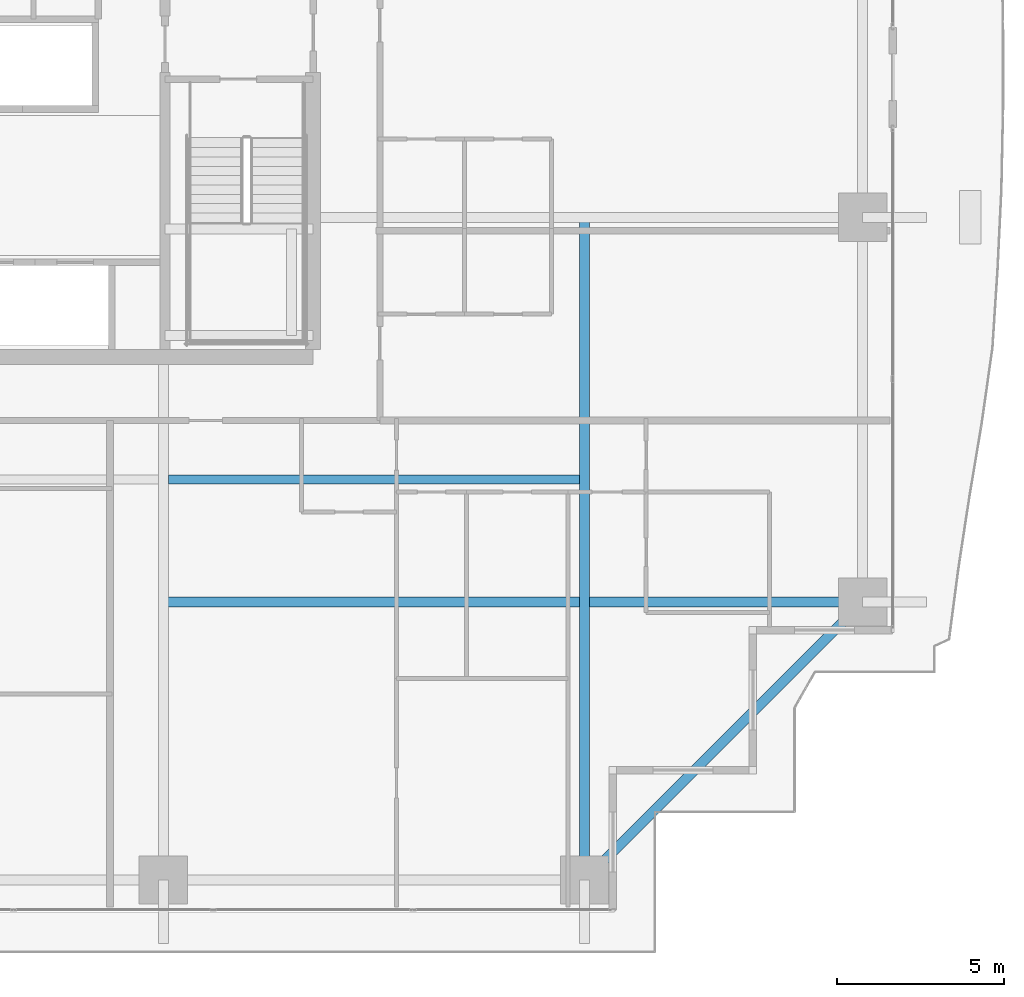
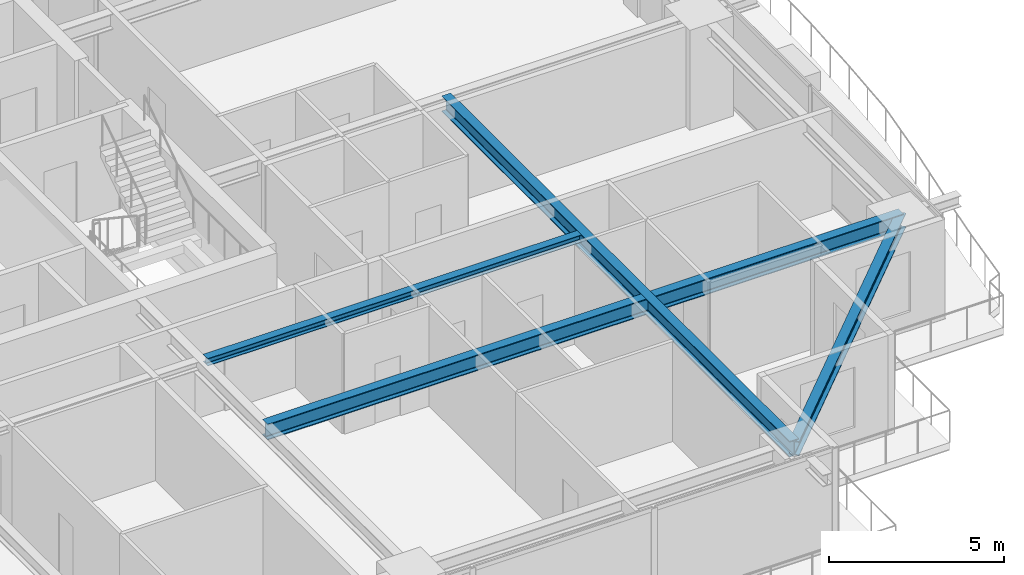
# One storey, part 11 of 38: 4 beams.
"""IFC4 building model written with IfcOpenShell, lengths in metres."""

from ifc_helpers import new_model, si_unit, direction, frame, origin, origin_2d, place, context, subcontext, project, spatial, i_section, extrude, source, transform, mapped, material, material_profile, profile_set, type_object, element, save


model = new_model("IFC4")

# Units and contexts
model_context = context("Model", 3, precision=1e-05, world=origin(), true_north=direction((0.0, 1.0)))
body_context = subcontext(model_context, "Body", "Model", "MODEL_VIEW")
ifc_project = project(units=[si_unit("LENGTHUNIT", "METRE"), si_unit("AREAUNIT", "SQUARE_METRE"), si_unit("VOLUMEUNIT", "CUBIC_METRE"), si_unit("PLANEANGLEUNIT", "RADIAN"), si_unit("MASSUNIT", "GRAM", prefix="KILO")], contexts=[model_context])

# Site, building, storey
site_placement = place(None, origin())
site = spatial("IfcSite", under=ifc_project, at=site_placement, CompositionType="ELEMENT")
building_placement = place(site_placement, origin())
building = spatial("IfcBuilding", under=site, at=building_placement, Name="Serunith Strait Residences", CompositionType="ELEMENT")
storey_placement = place(building_placement, frame((0.0, 0.0, 82.949951171875)))
storey = spatial("IfcBuildingStorey", under=building, at=storey_placement, Name="L20", CompositionType="ELEMENT", Elevation=82.949951171875)

# Beams
ifc_material = material(Name="Steel S355J2", Category="steel")
ifc_material_profile_1 = material_profile(ifc_material, i_section(OverallWidth=0.300048828125, OverallDepth=0.550048828125, WebThickness=0.014892578125, FlangeThickness=0.029052734375, FilletRadius=0.027099609375, at=origin_2d()), Name="HEB 550")
ifc_profile_set_1 = profile_set([ifc_material_profile_1], Name="Steel S355J2")
beam_type_1 = type_object("IfcBeamType", Name="BM-HEB550", PredefinedType="BEAM", material=ifc_profile_set_1)
shared_shape_1 = source(origin(), body_context, "Body", "SweptSolid", [
    extrude(i_section(OverallWidth=0.300048828125, OverallDepth=0.550048828125, WebThickness=0.014892578125, FlangeThickness=0.029052734375, FilletRadius=0.027099609375, at=origin_2d()), origin(), (0.0, 0.0, 1.0), 19.89990234375),
])
beam_1_placement = place(storey_placement, frame((49.550048828125, 21.0, 3.212158203125), z_axis=(0.0, -1.0, 0.0), x_axis=(1.0, 0.0, 0.0)))
element("IfcBeam", 1, at=beam_1_placement, inside=storey, type_object=beam_type_1, Name="L20 Orthogonal Corner Girder TC-S4", PredefinedType="BEAM", context=body_context, shape_type="MappedRepresentation", body=[
    mapped(shared_shape_1, transform((0.0, 0.0, 0.0), scale=1.0)),
])
shared_shape_2 = source(origin(), body_context, "Body", "SweptSolid", [
    extrude(i_section(OverallWidth=0.300048828125, OverallDepth=0.550048828125, WebThickness=0.014892578125, FlangeThickness=0.029052734375, FilletRadius=0.027099609375, at=origin_2d()), origin(), (0.0, 0.0, 1.0), 21.0),
])
beam_2_placement = place(storey_placement, frame((36.89990234375, 9.449951171875, 3.212158203125), z_axis=(1.0, 0.0, 0.0), x_axis=(0.0, 1.0, 0.0)))
element("IfcBeam", 2, at=beam_2_placement, inside=storey, type_object=beam_type_1, Name="L20 Orthogonal Corner Girder TC-E1", PredefinedType="BEAM", context=body_context, shape_type="MappedRepresentation", body=[
    mapped(shared_shape_2, transform((0.0, 0.0, 0.0), scale=1.0)),
])
ifc_material_profile_2 = material_profile(ifc_material, i_section(OverallWidth=0.300048828125, OverallDepth=0.5, WebThickness=0.014404296875, FlangeThickness=0.028076171875, FilletRadius=0.027099609375, at=origin_2d()), Name="HEB 500")
ifc_profile_set_2 = profile_set([ifc_material_profile_2], Name="Steel S355J2")
beam_type_2 = type_object("IfcBeamType", Name="BM-HEB500", PredefinedType="BEAM", material=ifc_profile_set_2)
shared_shape_3 = source(origin(), body_context, "Body", "SweptSolid", [
    extrude(i_section(OverallWidth=0.300048828125, OverallDepth=0.5, WebThickness=0.014404296875, FlangeThickness=0.028076171875, FilletRadius=0.027099609375, at=origin_2d()), origin(), (0.0, 0.0, 1.0), 11.80859375),
])
beam_3_placement = place(storey_placement, frame((49.550048828125, 1.10009765625, 3.20703125), z_axis=(0.707106781187, 0.707106781187, 0.0), x_axis=(-0.707106781187, 0.707106781187, 0.0)))
element("IfcBeam", 3, at=beam_3_placement, inside=storey, type_object=beam_type_2, Name="L20 Perimeter Ring Beam 04", PredefinedType="BEAM", context=body_context, shape_type="MappedRepresentation", body=[
    mapped(shared_shape_3, transform((0.0, 0.0, 0.0), scale=1.0)),
])
ifc_material_profile_3 = material_profile(ifc_material, i_section(OverallWidth=0.260009765625, OverallDepth=0.260009765625, WebThickness=0.010009765625, FlangeThickness=0.017578125, FilletRadius=0.02392578125, at=origin_2d()), Name="HEB 260")
ifc_profile_set_3 = profile_set([ifc_material_profile_3], Name="Steel S355J2")
beam_type_3 = type_object("IfcBeamType", Name="BM-HEB260", PredefinedType="JOIST", material=ifc_profile_set_3)
shared_shape_4 = source(origin(), body_context, "Body", "SweptSolid", [
    extrude(i_section(OverallWidth=0.260009765625, OverallDepth=0.260009765625, WebThickness=0.010009765625, FlangeThickness=0.017578125, FilletRadius=0.02392578125, at=origin_2d()), origin(), (0.0, 0.0, 1.0), 12.349853515625),
])
beam_4_placement = place(storey_placement, frame((37.050048828125, 13.125, 3.35693359375), z_axis=(1.0, 0.0, 0.0), x_axis=(0.0, 1.0, 0.0)))
element("IfcBeam", 4, at=beam_4_placement, inside=storey, type_object=beam_type_3, Name="L20 Composite Floor Joist 03", PredefinedType="JOIST", context=body_context, shape_type="MappedRepresentation", body=[
    mapped(shared_shape_4, transform((0.0, 0.0, 0.0), scale=1.0)),
])

save(model, "model.ifc")
